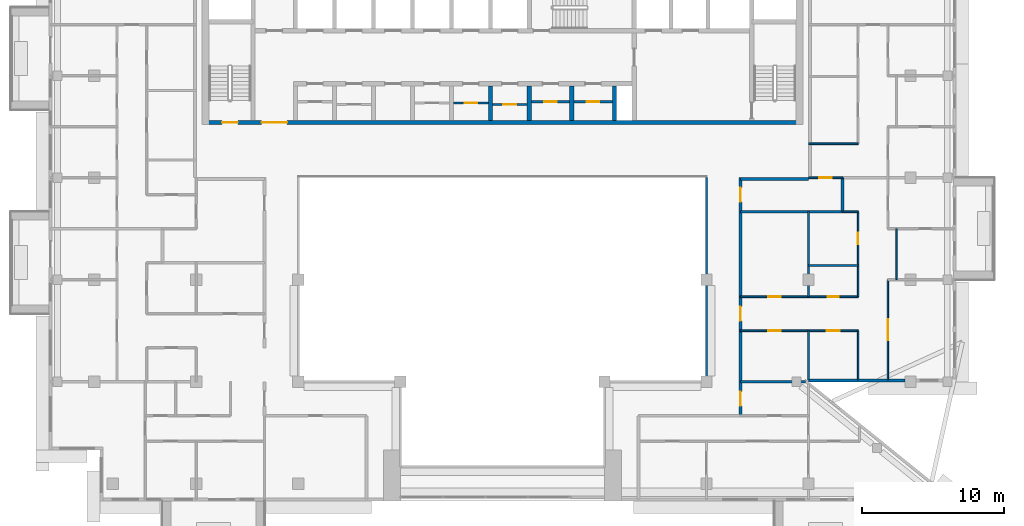
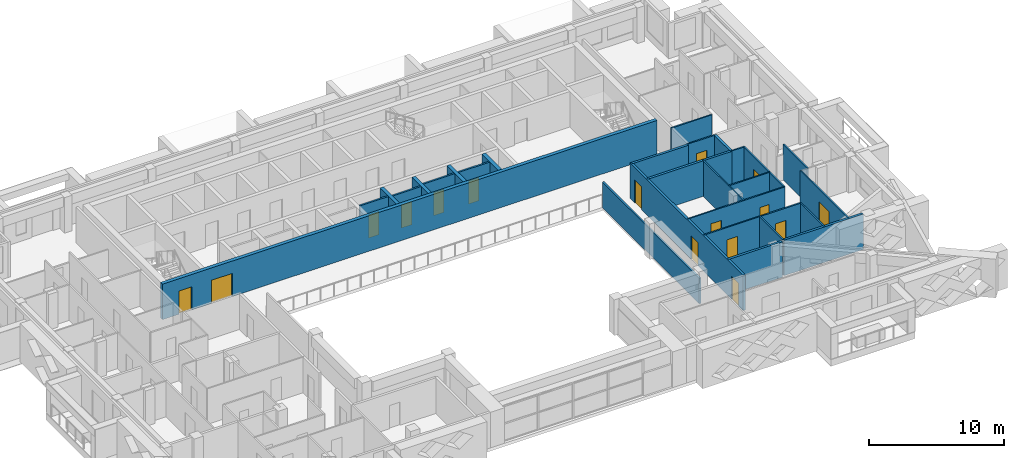
# One storey, part 9 of 19: 28 walls, 16 doors, 16 openings.
"""IFC4 building model written with IfcOpenShell, lengths in metres."""

from ifc_helpers import new_model, si_unit, direction, frame, frame_2d, origin, place, context, subcontext, project, spatial, rectangle, extrude, material, layer, layer_set, type_object, element, fill, save


model = new_model("IFC4")

# Units and contexts
model_context = context("Model", 3, precision=1e-05, world=origin(), true_north=direction((0.0, 1.0)))
body_context = subcontext(model_context, "Body", "Model", "MODEL_VIEW")
ifc_project = project(units=[si_unit("LENGTHUNIT", "METRE"), si_unit("AREAUNIT", "SQUARE_METRE"), si_unit("VOLUMEUNIT", "CUBIC_METRE"), si_unit("PLANEANGLEUNIT", "RADIAN"), si_unit("MASSUNIT", "GRAM", prefix="KILO")], contexts=[model_context])

# Site, building, storey
site_placement = place(None, origin())
site = spatial("IfcSite", under=ifc_project, at=site_placement, CompositionType="ELEMENT")
building_placement = place(site_placement, origin())
building = spatial("IfcBuilding", under=site, at=building_placement, Name="Saffron Iwan Residences", CompositionType="ELEMENT")
storey_placement = place(building_placement, frame((0.0, 0.0, 239.5)))
storey = spatial("IfcBuildingStorey", under=building, at=storey_placement, Name="L64", CompositionType="ELEMENT", Elevation=239.5)

# Wall
ifc_material_1 = material(Name="Fire-rated glazing", Category="glass")
ifc_layer_1 = layer(ifc_material_1, 0.14990234375)
ifc_layer_set_1 = layer_set([ifc_layer_1], Name="Fire-rated glazing")
wall_type_1 = type_object("IfcWallType", Name="Atrium glazed screen 150", PredefinedType="SOLIDWALL", material=ifc_layer_set_1)
wall_1_placement = place(storey_placement, frame((64.800048828125, 48.0, 0.0), z_axis=(0.0, 0.0, 1.0), x_axis=(0.0, 1.0, 0.0)))
element("IfcWall", 1, at=wall_1_placement, inside=storey, type_object=wall_type_1, Name="W-L64-SCREEN-v64.8-48", PredefinedType="SOLIDWALL", context=body_context, shape_type="SweptSolid", body=[
    extrude(rectangle(XDim=14.39990234375, YDim=0.14990234375, at=frame_2d((7.199951171875, 0.0))), origin(), (0.0, 0.0, 1.0), 2.320068359375),
])

# Wall, opening, door
ifc_material_2 = material(Name="Fire-rated plasterboard partition")
ifc_layer_2 = layer(ifc_material_2, 0.14990234375)
ifc_layer_set_2 = layer_set([ifc_layer_2], Name="Fire-rated plasterboard partition")
wall_type_2 = type_object("IfcWallType", Name="Core partition 150", PredefinedType="PARTITIONING", material=ifc_layer_set_2)
wall_2_placement = place(storey_placement, frame((46.949951171875, 67.66259765625, 0.0), z_axis=(0.0, 0.0, 1.0), x_axis=(1.0, 0.0, 0.0)))
wall_2 = element("IfcWall", 2, at=wall_2_placement, inside=storey, type_object=wall_type_2, Name="Core partition P04", PredefinedType="PARTITIONING", context=body_context, shape_type="SweptSolid", body=[
    extrude(rectangle(XDim=2.449951171875, YDim=0.14990234375, at=frame_2d((1.22509765625, 0.0))), origin(), (0.0, 0.0, 1.0), 3.219970703125),
])
opening_1_placement = place(wall_2_placement, frame((0.77490234375, 0.0, 0.0)))
opening_1 = element("IfcOpeningElement", 3, at=opening_1_placement, cuts=wall_2, Name="Opening SB", PredefinedType="OPENING", context=body_context, shape_type="SweptSolid", body=[
    extrude(rectangle(XDim=0.89990234375, YDim=2.10009765625, at=frame_2d((0.449951171875, 1.050048828125))), frame((0.0, 0.0849609375, 0.0), z_axis=(0.0, -1.0, 0.0), x_axis=(1.0, 0.0, 0.0)), (0.0, 0.0, 1.0), 0.169921875),
])
ifc_material_3 = material(Name="Steel fire door", Category="steel")
door_type_1 = type_object("IfcDoorType", Name="Store door 900", OperationType="NOTDEFINED", PredefinedType="DOOR", material=ifc_material_3)
door_1_placement = place(opening_1_placement, origin())
door_1 = element("IfcDoor", 4, at=door_1_placement, inside=storey, type_object=door_type_1, Name="Door Mop store", OperationType="SINGLE_SWING_RIGHT", OverallHeight=2.10009765625, OverallWidth=0.89990234375, PredefinedType="DOOR", context=body_context, shape_type="SweptSolid", body=[
    extrude(rectangle(XDim=0.89990234375, YDim=2.10009765625, at=frame_2d((0.449951171875, 1.050048828125))), frame((0.0, 0.02490234375, 0.0), z_axis=(0.0, -1.0, 0.0), x_axis=(1.0, 0.0, 0.0)), (0.0, 0.0, 1.0), 0.050048828125),
])
fill(opening_1, door_1)

wall_3_placement = place(storey_placement, frame((49.699951171875, 67.5654296875, 0.0), z_axis=(0.0, 0.0, 1.0), x_axis=(1.0, 0.0, 0.0)))
wall_3 = element("IfcWall", 5, at=wall_3_placement, inside=storey, type_object=wall_type_2, Name="Core partition P05", PredefinedType="PARTITIONING", context=body_context, shape_type="SweptSolid", body=[
    extrude(rectangle(XDim=2.449951171875, YDim=0.14990234375, at=frame_2d((1.22509765625, 0.0))), origin(), (0.0, 0.0, 1.0), 3.219970703125),
])
opening_2_placement = place(wall_3_placement, frame((0.77490234375, 0.0, 0.0)))
opening_2 = element("IfcOpeningElement", 6, at=opening_2_placement, cuts=wall_3, Name="Opening SB", PredefinedType="OPENING", context=body_context, shape_type="SweptSolid", body=[
    extrude(rectangle(XDim=0.89990234375, YDim=2.10009765625, at=frame_2d((0.449951171875, 1.050048828125))), frame((0.0, 0.0849609375, 0.0), z_axis=(0.0, -1.0, 0.0), x_axis=(1.0, 0.0, 0.0)), (0.0, 0.0, 1.0), 0.169921875),
])
door_2_placement = place(opening_2_placement, origin())
door_2 = element("IfcDoor", 7, at=door_2_placement, inside=storey, type_object=door_type_1, Name="Door Spares store", OperationType="SINGLE_SWING_LEFT", OverallHeight=2.10009765625, OverallWidth=0.89990234375, PredefinedType="DOOR", context=body_context, shape_type="SweptSolid", body=[
    extrude(rectangle(XDim=0.89990234375, YDim=2.10009765625, at=frame_2d((0.449951171875, 1.050048828125))), frame((0.0, 0.02490234375, 0.0), z_axis=(0.0, -1.0, 0.0), x_axis=(1.0, 0.0, 0.0)), (0.0, 0.0, 1.0), 0.050048828125),
])
fill(opening_2, door_2)

wall_4_placement = place(storey_placement, frame((52.449951171875, 67.759521484375, 0.0), z_axis=(0.0, 0.0, 1.0), x_axis=(1.0, 0.0, 0.0)))
wall_4 = element("IfcWall", 8, at=wall_4_placement, inside=storey, type_object=wall_type_2, Name="Core partition P06", PredefinedType="PARTITIONING", context=body_context, shape_type="SweptSolid", body=[
    extrude(rectangle(XDim=2.699951171875, YDim=0.14990234375, at=frame_2d((1.35009765625, 0.0))), origin(), (0.0, 0.0, 1.0), 3.219970703125),
])
opening_3_placement = place(wall_4_placement, frame((0.89990234375, 0.0, 0.0)))
opening_3 = element("IfcOpeningElement", 9, at=opening_3_placement, cuts=wall_4, Name="Opening SB", PredefinedType="OPENING", context=body_context, shape_type="SweptSolid", body=[
    extrude(rectangle(XDim=0.89990234375, YDim=2.10009765625, at=frame_2d((0.449951171875, 1.050048828125))), frame((0.0, 0.0849609375, 0.0), z_axis=(0.0, -1.0, 0.0), x_axis=(1.0, 0.0, 0.0)), (0.0, 0.0, 1.0), 0.169921875),
])
door_3_placement = place(opening_3_placement, origin())
door_3 = element("IfcDoor", 10, at=door_3_placement, inside=storey, type_object=door_type_1, Name="Door Tool store", OperationType="SINGLE_SWING_LEFT", OverallHeight=2.10009765625, OverallWidth=0.89990234375, PredefinedType="DOOR", context=body_context, shape_type="SweptSolid", body=[
    extrude(rectangle(XDim=0.89990234375, YDim=2.10009765625, at=frame_2d((0.449951171875, 1.050048828125))), frame((0.0, 0.02490234375, 0.0), z_axis=(0.0, -1.0, 0.0), x_axis=(1.0, 0.0, 0.0)), (0.0, 0.0, 1.0), 0.050048828125),
])
fill(opening_3, door_3)

wall_5_placement = place(storey_placement, frame((55.449951171875, 67.759521484375, 0.0), z_axis=(0.0, 0.0, 1.0), x_axis=(1.0, 0.0, 0.0)))
wall_5 = element("IfcWall", 11, at=wall_5_placement, inside=storey, type_object=wall_type_2, Name="Core partition P07", PredefinedType="PARTITIONING", context=body_context, shape_type="SweptSolid", body=[
    extrude(rectangle(XDim=2.699951171875, YDim=0.14990234375, at=frame_2d((1.35009765625, 0.0))), origin(), (0.0, 0.0, 1.0), 3.219970703125),
])
opening_4_placement = place(wall_5_placement, frame((0.89990234375, 0.0, 0.0)))
opening_4 = element("IfcOpeningElement", 12, at=opening_4_placement, cuts=wall_5, Name="Opening SB", PredefinedType="OPENING", context=body_context, shape_type="SweptSolid", body=[
    extrude(rectangle(XDim=0.89990234375, YDim=2.10009765625, at=frame_2d((0.449951171875, 1.050048828125))), frame((0.0, 0.0849609375, 0.0), z_axis=(0.0, -1.0, 0.0), x_axis=(1.0, 0.0, 0.0)), (0.0, 0.0, 1.0), 0.169921875),
])
door_4_placement = place(opening_4_placement, origin())
door_4 = element("IfcDoor", 13, at=door_4_placement, inside=storey, type_object=door_type_1, Name="Door Cabling room", OperationType="SINGLE_SWING_LEFT", OverallHeight=2.10009765625, OverallWidth=0.89990234375, PredefinedType="DOOR", context=body_context, shape_type="SweptSolid", body=[
    extrude(rectangle(XDim=0.89990234375, YDim=2.10009765625, at=frame_2d((0.449951171875, 1.050048828125))), frame((0.0, 0.02490234375, 0.0), z_axis=(0.0, -1.0, 0.0), x_axis=(1.0, 0.0, 0.0)), (0.0, 0.0, 1.0), 0.050048828125),
])
fill(opening_4, door_4)

# Walls
ifc_material_4 = material(Name="Concrete C40/50", Category="concrete")
ifc_layer_3 = layer(ifc_material_4, 0.199951171875)
ifc_layer_set_3 = layer_set([ifc_layer_3], Name="Concrete C40/50")
wall_type_3 = type_object("IfcWallType", Name="EXTERNAL WALL 200", PredefinedType="SOLIDWALL", material=ifc_layer_set_3)
wall_6_placement = place(storey_placement, frame((71.987060546875, 48.10009765625, 0.0), z_axis=(0.0, 0.0, 1.0), x_axis=(1.0, 0.0, 0.0)))
element("IfcWall", 14, at=wall_6_placement, inside=storey, type_object=wall_type_3, Name="External wall L64 F1.0", PredefinedType="SOLIDWALL", context=body_context, shape_type="SweptSolid", body=[
    extrude(rectangle(XDim=6.81298828125, YDim=0.199951171875, at=frame_2d((3.406494140625, 0.0))), origin(), (0.0, 0.0, 1.0), 3.219970703125),
])
ifc_material_5 = material(Name="Fire-rated gypsum board wall")
ifc_layer_4 = layer(ifc_material_5, 0.199951171875)
ifc_layer_set_4 = layer_set([ifc_layer_4], Name="Fire-rated gypsum board wall")
wall_type_4 = type_object("IfcWallType", Name="Flat demising wall 200", PredefinedType="SOLIDWALL", material=ifc_layer_set_4)
wall_7_placement = place(storey_placement, frame((67.199951171875, 48.0, 0.0), z_axis=(0.0, 0.0, 1.0), x_axis=(1.0, 0.0, 0.0)))
element("IfcWall", 15, at=wall_7_placement, inside=storey, type_object=wall_type_4, Name="W-L64-DEMISE-h48-67.2", PredefinedType="SOLIDWALL", context=body_context, shape_type="SweptSolid", body=[
    extrude(rectangle(XDim=4.60107421875, YDim=0.199951171875, at=frame_2d((2.300537109375, 0.0))), origin(), (0.0, 0.0, 1.0), 3.219970703125),
])
wall_8_placement = place(storey_placement, frame((67.199951171875, 60.0, 0.0), z_axis=(0.0, 0.0, 1.0), x_axis=(1.0, 0.0, 0.0)))
element("IfcWall", 16, at=wall_8_placement, inside=storey, type_object=wall_type_4, Name="W-L64-DEMISE-h60-67.2", PredefinedType="SOLIDWALL", context=body_context, shape_type="SweptSolid", body=[
    extrude(rectangle(XDim=7.199951171875, YDim=0.199951171875, at=frame_2d((3.60009765625, 0.0))), origin(), (0.0, 0.0, 1.0), 3.219970703125),
])
wall_9_placement = place(storey_placement, frame((74.39990234375, 60.0, 0.0), z_axis=(0.0, 0.0, 1.0), x_axis=(0.0, 1.0, 0.0)))
element("IfcWall", 17, at=wall_9_placement, inside=storey, type_object=wall_type_4, Name="W-L64-DEMISE-v74.4-60", PredefinedType="SOLIDWALL", context=body_context, shape_type="SweptSolid", body=[
    extrude(rectangle(XDim=2.39990234375, YDim=0.199951171875, at=frame_2d((1.199951171875, 0.0))), origin(), (0.0, 0.0, 1.0), 3.219970703125),
])

# Wall, openings, doors
ifc_material_6 = material(Name="Gypsum board partition")
ifc_layer_5 = layer(ifc_material_6, 0.1201171875)
ifc_layer_set_5 = layer_set([ifc_layer_5], Name="Gypsum board partition")
wall_type_5 = type_object("IfcWallType", Name="Flat partition 120", PredefinedType="PARTITIONING", material=ifc_layer_set_5)
wall_10_placement = place(storey_placement, frame((67.199951171875, 51.60009765625, 0.0), z_axis=(0.0, 0.0, 1.0), x_axis=(1.0, 0.0, 0.0)))
wall_10 = element("IfcWall", 18, at=wall_10_placement, inside=storey, type_object=wall_type_5, Name="W-L64-PART-h51.6-67.2", PredefinedType="PARTITIONING", context=body_context, shape_type="SweptSolid", body=[
    extrude(rectangle(XDim=8.300048828125, YDim=0.1201171875, at=frame_2d((4.14990234375, 0.0))), origin(), (0.0, 0.0, 1.0), 3.219970703125),
])
opening_5_placement = place(wall_10_placement, frame((6.10009765625, 0.0, 0.0)))
opening_5 = element("IfcOpeningElement", 19, at=opening_5_placement, cuts=wall_10, Name="Opening FD2", PredefinedType="OPENING", context=body_context, shape_type="SweptSolid", body=[
    extrude(rectangle(XDim=0.89990234375, YDim=2.10009765625, at=frame_2d((0.449951171875, 1.050048828125))), frame((0.0, 0.070068359375, 0.0), z_axis=(0.0, -1.0, 0.0), x_axis=(1.0, 0.0, 0.0)), (0.0, 0.0, 1.0), 0.14013671875),
])
opening_6_placement = place(wall_10_placement, frame((1.949951171875, 0.0, 0.0)))
opening_6 = element("IfcOpeningElement", 20, at=opening_6_placement, cuts=wall_10, Name="Opening FD2", PredefinedType="OPENING", context=body_context, shape_type="SweptSolid", body=[
    extrude(rectangle(XDim=0.89990234375, YDim=2.10009765625, at=frame_2d((0.449951171875, 1.050048828125))), frame((0.0, 0.070068359375, 0.0), z_axis=(0.0, -1.0, 0.0), x_axis=(1.0, 0.0, 0.0)), (0.0, 0.0, 1.0), 0.14013671875),
])
ifc_material_7 = material(Name="Timber door", Category="wood")
door_type_2 = type_object("IfcDoorType", Name="Flat door 900", OperationType="NOTDEFINED", PredefinedType="DOOR", material=ifc_material_7)
door_5_placement = place(opening_5_placement, origin())
door_5 = element("IfcDoor", 21, at=door_5_placement, inside=storey, type_object=door_type_2, Name="Door L64-018", OperationType="SINGLE_SWING_RIGHT", OverallHeight=2.10009765625, OverallWidth=0.89990234375, PredefinedType="DOOR", context=body_context, shape_type="SweptSolid", body=[
    extrude(rectangle(XDim=0.89990234375, YDim=2.10009765625, at=frame_2d((0.449951171875, 1.050048828125))), frame((0.0, 0.02490234375, 0.0), z_axis=(0.0, -1.0, 0.0), x_axis=(1.0, 0.0, 0.0)), (0.0, 0.0, 1.0), 0.050048828125),
])
fill(opening_5, door_5)
door_6_placement = place(opening_6_placement, origin())
door_6 = element("IfcDoor", 22, at=door_6_placement, inside=storey, type_object=door_type_2, Name="Door L64-021", OperationType="SINGLE_SWING_RIGHT", OverallHeight=2.10009765625, OverallWidth=0.89990234375, PredefinedType="DOOR", context=body_context, shape_type="SweptSolid", body=[
    extrude(rectangle(XDim=0.89990234375, YDim=2.10009765625, at=frame_2d((0.449951171875, 1.050048828125))), frame((0.0, 0.02490234375, 0.0), z_axis=(0.0, -1.0, 0.0), x_axis=(1.0, 0.0, 0.0)), (0.0, 0.0, 1.0), 0.050048828125),
])
fill(opening_6, door_6)

wall_11_placement = place(storey_placement, frame((67.199951171875, 54.0, 0.0), z_axis=(0.0, 0.0, 1.0), x_axis=(1.0, 0.0, 0.0)))
wall_11 = element("IfcWall", 23, at=wall_11_placement, inside=storey, type_object=wall_type_5, Name="W-L64-PART-h54-67.2", PredefinedType="PARTITIONING", context=body_context, shape_type="SweptSolid", body=[
    extrude(rectangle(XDim=8.300048828125, YDim=0.1201171875, at=frame_2d((4.14990234375, 0.0))), origin(), (0.0, 0.0, 1.0), 3.219970703125),
])
opening_7_placement = place(wall_11_placement, frame((6.14990234375, 0.0, 0.0)))
opening_7 = element("IfcOpeningElement", 24, at=opening_7_placement, cuts=wall_11, Name="Opening FD3", PredefinedType="OPENING", context=body_context, shape_type="SweptSolid", body=[
    extrude(rectangle(XDim=0.800048828125, YDim=2.10009765625, at=frame_2d((0.39990234375, 1.050048828125))), frame((0.0, 0.070068359375, 0.0), z_axis=(0.0, -1.0, 0.0), x_axis=(1.0, 0.0, 0.0)), (0.0, 0.0, 1.0), 0.14013671875),
])
opening_8_placement = place(wall_11_placement, frame((1.949951171875, 0.0, 0.0)))
opening_8 = element("IfcOpeningElement", 25, at=opening_8_placement, cuts=wall_11, Name="Opening FD2", PredefinedType="OPENING", context=body_context, shape_type="SweptSolid", body=[
    extrude(rectangle(XDim=0.89990234375, YDim=2.10009765625, at=frame_2d((0.449951171875, 1.050048828125))), frame((0.0, 0.070068359375, 0.0), z_axis=(0.0, -1.0, 0.0), x_axis=(1.0, 0.0, 0.0)), (0.0, 0.0, 1.0), 0.14013671875),
])
door_type_3 = type_object("IfcDoorType", Name="Bathroom door 800", OperationType="NOTDEFINED", PredefinedType="DOOR", material=ifc_material_7)
door_7_placement = place(opening_7_placement, origin())
door_7 = element("IfcDoor", 26, at=door_7_placement, inside=storey, type_object=door_type_3, Name="Door L64-019", OperationType="SINGLE_SWING_LEFT", OverallHeight=2.10009765625, OverallWidth=0.800048828125, PredefinedType="DOOR", context=body_context, shape_type="SweptSolid", body=[
    extrude(rectangle(XDim=0.800048828125, YDim=2.10009765625, at=frame_2d((0.39990234375, 1.050048828125))), frame((0.0, 0.02490234375, 0.0), z_axis=(0.0, -1.0, 0.0), x_axis=(1.0, 0.0, 0.0)), (0.0, 0.0, 1.0), 0.050048828125),
])
fill(opening_7, door_7)
door_8_placement = place(opening_8_placement, origin())
door_8 = element("IfcDoor", 27, at=door_8_placement, inside=storey, type_object=door_type_2, Name="Door L64-022", OperationType="SINGLE_SWING_LEFT", OverallHeight=2.10009765625, OverallWidth=0.89990234375, PredefinedType="DOOR", context=body_context, shape_type="SweptSolid", body=[
    extrude(rectangle(XDim=0.89990234375, YDim=2.10009765625, at=frame_2d((0.449951171875, 1.050048828125))), frame((0.0, 0.02490234375, 0.0), z_axis=(0.0, -1.0, 0.0), x_axis=(1.0, 0.0, 0.0)), (0.0, 0.0, 1.0), 0.050048828125),
])
fill(opening_8, door_8)

# Walls
wall_12_placement = place(storey_placement, frame((72.0, 56.199951171875, 0.0), z_axis=(0.0, 0.0, 1.0), x_axis=(1.0, 0.0, 0.0)))
element("IfcWall", 28, at=wall_12_placement, inside=storey, type_object=wall_type_5, Name="W-L64-PART-h56.2-72", PredefinedType="PARTITIONING", context=body_context, shape_type="SweptSolid", body=[
    extrude(rectangle(XDim=3.5, YDim=0.1201171875, at=frame_2d((1.75, 0.0))), origin(), (0.0, 0.0, 1.0), 3.219970703125),
])
wall_13_placement = place(storey_placement, frame((74.39990234375, 60.0, 0.0), z_axis=(0.0, 0.0, 1.0), x_axis=(1.0, 0.0, 0.0)))
element("IfcWall", 29, at=wall_13_placement, inside=storey, type_object=wall_type_5, Name="W-L64-PART-h60-74.4", PredefinedType="PARTITIONING", context=body_context, shape_type="SweptSolid", body=[
    extrude(rectangle(XDim=1.10009765625, YDim=0.1201171875, at=frame_2d((0.550048828125, 0.0))), origin(), (0.0, 0.0, 1.0), 3.219970703125),
])

# Wall, opening, door
wall_14_placement = place(storey_placement, frame((72.0, 62.39990234375, 0.0), z_axis=(0.0, 0.0, 1.0), x_axis=(1.0, 0.0, 0.0)))
wall_14 = element("IfcWall", 30, at=wall_14_placement, inside=storey, type_object=wall_type_5, Name="W-L64-PART-h62.4-72", PredefinedType="PARTITIONING", context=body_context, shape_type="SweptSolid", body=[
    extrude(rectangle(XDim=2.39990234375, YDim=0.1201171875, at=frame_2d((1.199951171875, 0.0))), origin(), (0.0, 0.0, 1.0), 3.219970703125),
])
opening_9_placement = place(wall_14_placement, frame((0.75, 0.0, 0.0)))
opening_9 = element("IfcOpeningElement", 31, at=opening_9_placement, cuts=wall_14, Name="Opening FD2", PredefinedType="OPENING", context=body_context, shape_type="SweptSolid", body=[
    extrude(rectangle(XDim=0.89990234375, YDim=2.10009765625, at=frame_2d((0.449951171875, 1.050048828125))), frame((0.0, 0.070068359375, 0.0), z_axis=(0.0, -1.0, 0.0), x_axis=(1.0, 0.0, 0.0)), (0.0, 0.0, 1.0), 0.14013671875),
])
door_9_placement = place(opening_9_placement, origin())
door_9 = element("IfcDoor", 32, at=door_9_placement, inside=storey, type_object=door_type_2, Name="Door L64-033", OperationType="SINGLE_SWING_RIGHT", OverallHeight=2.10009765625, OverallWidth=0.89990234375, PredefinedType="DOOR", context=body_context, shape_type="SweptSolid", body=[
    extrude(rectangle(XDim=0.89990234375, YDim=2.10009765625, at=frame_2d((0.449951171875, 1.050048828125))), frame((0.0, 0.02490234375, 0.0), z_axis=(0.0, -1.0, 0.0), x_axis=(1.0, 0.0, 0.0)), (0.0, 0.0, 1.0), 0.050048828125),
])
fill(opening_9, door_9)

# Walls
wall_15_placement = place(storey_placement, frame((72.0, 64.800048828125, 0.0), z_axis=(0.0, 0.0, 1.0), x_axis=(1.0, 0.0, 0.0)))
element("IfcWall", 33, at=wall_15_placement, inside=storey, type_object=wall_type_5, Name="W-L64-PART-h64.8-72", PredefinedType="PARTITIONING", context=body_context, shape_type="SweptSolid", body=[
    extrude(rectangle(XDim=3.5, YDim=0.1201171875, at=frame_2d((1.75, 0.0))), origin(), (0.0, 0.0, 1.0), 3.219970703125),
])
wall_16_placement = place(storey_placement, frame((72.0, 48.125, 0.0), z_axis=(0.0, 0.0, 1.0), x_axis=(0.0, 1.0, 0.0)))
element("IfcWall", 34, at=wall_16_placement, inside=storey, type_object=wall_type_5, Name="W-L64-PART-v72-48.125", PredefinedType="PARTITIONING", context=body_context, shape_type="SweptSolid", body=[
    extrude(rectangle(XDim=3.47509765625, YDim=0.1201171875, at=frame_2d((1.737548828125, 0.0))), origin(), (0.0, 0.0, 1.0), 3.219970703125),
])
wall_17_placement = place(storey_placement, frame((72.0, 54.0, 0.0), z_axis=(0.0, 0.0, 1.0), x_axis=(0.0, 1.0, 0.0)))
element("IfcWall", 35, at=wall_17_placement, inside=storey, type_object=wall_type_5, Name="W-L64-PART-v72-54", PredefinedType="PARTITIONING", context=body_context, shape_type="SweptSolid", body=[
    extrude(rectangle(XDim=6.0, YDim=0.1201171875, at=frame_2d((3.0, 0.0))), origin(), (0.0, 0.0, 1.0), 3.219970703125),
])
wall_18_placement = place(storey_placement, frame((75.5, 48.125, 0.0), z_axis=(0.0, 0.0, 1.0), x_axis=(0.0, 1.0, 0.0)))
element("IfcWall", 36, at=wall_18_placement, inside=storey, type_object=wall_type_5, Name="W-L64-PART-v75.5-48.125", PredefinedType="PARTITIONING", context=body_context, shape_type="SweptSolid", body=[
    extrude(rectangle(XDim=3.47509765625, YDim=0.1201171875, at=frame_2d((1.737548828125, 0.0))), origin(), (0.0, 0.0, 1.0), 3.219970703125),
])

# Wall, opening, door
wall_19_placement = place(storey_placement, frame((75.5, 54.0, 0.0), z_axis=(0.0, 0.0, 1.0), x_axis=(0.0, 1.0, 0.0)))
wall_19 = element("IfcWall", 37, at=wall_19_placement, inside=storey, type_object=wall_type_5, Name="W-L64-PART-v75.5-54", PredefinedType="PARTITIONING", context=body_context, shape_type="SweptSolid", body=[
    extrude(rectangle(XDim=6.0, YDim=0.1201171875, at=frame_2d((3.0, 0.0))), origin(), (0.0, 0.0, 1.0), 3.219970703125),
])
opening_10_placement = place(wall_19_placement, frame((3.699951171875, 0.0, 0.0)))
opening_10 = element("IfcOpeningElement", 38, at=opening_10_placement, cuts=wall_19, Name="Opening FD3", PredefinedType="OPENING", context=body_context, shape_type="SweptSolid", body=[
    extrude(rectangle(XDim=0.800048828125, YDim=2.10009765625, at=frame_2d((0.39990234375, 1.050048828125))), frame((0.0, 0.070068359375, 0.0), z_axis=(0.0, -1.0, 0.0), x_axis=(1.0, 0.0, 0.0)), (0.0, 0.0, 1.0), 0.14013671875),
])
door_10_placement = place(opening_10_placement, origin())
door_10 = element("IfcDoor", 39, at=door_10_placement, inside=storey, type_object=door_type_3, Name="Door L64-020", OperationType="SINGLE_SWING_LEFT", OverallHeight=2.10009765625, OverallWidth=0.800048828125, PredefinedType="DOOR", context=body_context, shape_type="SweptSolid", body=[
    extrude(rectangle(XDim=0.800048828125, YDim=2.10009765625, at=frame_2d((0.39990234375, 1.050048828125))), frame((0.0, 0.02490234375, 0.0), z_axis=(0.0, -1.0, 0.0), x_axis=(1.0, 0.0, 0.0)), (0.0, 0.0, 1.0), 0.050048828125),
])
fill(opening_10, door_10)

wall_20_placement = place(storey_placement, frame((77.60009765625, 48.125, 0.0), z_axis=(0.0, 0.0, 1.0), x_axis=(0.0, 1.0, 0.0)))
wall_20 = element("IfcWall", 40, at=wall_20_placement, inside=storey, type_object=wall_type_5, Name="W-L64-PART-v77.6-48.125", PredefinedType="PARTITIONING", context=body_context, shape_type="SweptSolid", body=[
    extrude(rectangle(XDim=7.074951171875, YDim=0.1201171875, at=frame_2d((3.53759765625, 0.0))), origin(), (0.0, 0.0, 1.0), 3.219970703125),
])
opening_11_placement = place(wall_20_placement, frame((2.78759765625, 0.0, 0.0)))
opening_11 = element("IfcOpeningElement", 41, at=opening_11_placement, cuts=wall_20, Name="Opening FD4", PredefinedType="OPENING", context=body_context, shape_type="SweptSolid", body=[
    extrude(rectangle(XDim=1.5, YDim=2.10009765625, at=frame_2d((0.75, 1.050048828125))), frame((0.0, 0.070068359375, 0.0), z_axis=(0.0, -1.0, 0.0), x_axis=(1.0, 0.0, 0.0)), (0.0, 0.0, 1.0), 0.14013671875),
])
door_type_4 = type_object("IfcDoorType", Name="Double door 1500", OperationType="NOTDEFINED", PredefinedType="DOOR", material=ifc_material_7)
door_11_placement = place(opening_11_placement, origin())
door_11 = element("IfcDoor", 42, at=door_11_placement, inside=storey, type_object=door_type_4, Name="Door L64-015", OperationType="SINGLE_SWING_RIGHT", OverallHeight=2.10009765625, OverallWidth=1.5, PredefinedType="DOOR", context=body_context, shape_type="SweptSolid", body=[
    extrude(rectangle(XDim=1.5, YDim=2.10009765625, at=frame_2d((0.75, 1.050048828125))), frame((0.0, 0.02490234375, 0.0), z_axis=(0.0, -1.0, 0.0), x_axis=(1.0, 0.0, 0.0)), (0.0, 0.0, 1.0), 0.050048828125),
])
fill(opening_11, door_11)

# Walls
wall_21_placement = place(storey_placement, frame((78.199951171875, 55.199951171875, 0.0), z_axis=(0.0, 0.0, 1.0), x_axis=(0.0, 1.0, 0.0)))
element("IfcWall", 43, at=wall_21_placement, inside=storey, type_object=wall_type_5, Name="W-L64-PART-v78.2-55.2", PredefinedType="PARTITIONING", context=body_context, shape_type="SweptSolid", body=[
    extrude(rectangle(XDim=3.60009765625, YDim=0.1201171875, at=frame_2d((1.800048828125, 0.0))), origin(), (0.0, 0.0, 1.0), 3.219970703125),
])
ifc_layer_6 = layer(ifc_material_5, 0.199951171875)
ifc_layer_set_6 = layer_set([ifc_layer_6], Name="Fire-rated gypsum board wall")
wall_type_6 = type_object("IfcWallType", Name="Gallery wall 200", PredefinedType="SOLIDWALL", material=ifc_layer_set_6)
wall_22_placement = place(storey_placement, frame((67.199951171875, 62.300048828125, 0.0), z_axis=(0.0, 0.0, 1.0), x_axis=(1.0, 0.0, 0.0)))
element("IfcWall", 44, at=wall_22_placement, inside=storey, type_object=wall_type_6, Name="W-L64-CORR-h62.4-67.2", PredefinedType="SOLIDWALL", context=body_context, shape_type="SweptSolid", body=[
    extrude(rectangle(XDim=4.800048828125, YDim=0.199951171875, at=frame_2d((2.39990234375, 0.0))), origin(), (0.0, 0.0, 1.0), 3.219970703125),
])

# Wall, openings, doors
wall_23_placement = place(storey_placement, frame((67.199951171875, 45.60009765625, 0.0), z_axis=(0.0, 0.0, 1.0), x_axis=(0.0, 1.0, 0.0)))
wall_23 = element("IfcWall", 45, at=wall_23_placement, inside=storey, type_object=wall_type_6, Name="W-L64-CORR-v67.2-45.6", PredefinedType="SOLIDWALL", context=body_context, shape_type="SweptSolid", body=[
    extrude(rectangle(XDim=16.7998046875, YDim=0.199951171875, at=frame_2d((8.39990234375, 0.0))), origin(), (0.0, 0.0, 1.0), 3.219970703125),
])
opening_12_placement = place(wall_23_placement, frame((6.699951171875, 0.0, 0.0)))
opening_12 = element("IfcOpeningElement", 46, at=opening_12_placement, cuts=wall_23, Name="Opening FD1", PredefinedType="OPENING", context=body_context, shape_type="SweptSolid", body=[
    extrude(rectangle(XDim=1.0, YDim=2.10009765625, at=frame_2d((0.5, 1.050048828125))), frame((0.0, 0.10986328125, 0.0), z_axis=(0.0, -1.0, 0.0), x_axis=(1.0, 0.0, 0.0)), (0.0, 0.0, 1.0), 0.219970703125),
])
opening_13_placement = place(wall_23_placement, frame((15.10009765625, 0.0, 0.0)))
opening_13 = element("IfcOpeningElement", 47, at=opening_13_placement, cuts=wall_23, Name="Opening FD5", PredefinedType="OPENING", context=body_context, shape_type="SweptSolid", body=[
    extrude(rectangle(XDim=1.0, YDim=2.10009765625, at=frame_2d((0.5, 1.050048828125))), frame((0.0, 0.10986328125, 0.0), z_axis=(0.0, -1.0, 0.0), x_axis=(1.0, 0.0, 0.0)), (0.0, 0.0, 1.0), 0.219970703125),
])
opening_14_placement = place(wall_23_placement, frame((0.699951171875, 0.0, 0.0)))
opening_14 = element("IfcOpeningElement", 48, at=opening_14_placement, cuts=wall_23, Name="Opening FD5", PredefinedType="OPENING", context=body_context, shape_type="SweptSolid", body=[
    extrude(rectangle(XDim=1.0, YDim=2.10009765625, at=frame_2d((0.5, 1.050048828125))), frame((0.0, 0.10986328125, 0.0), z_axis=(0.0, -1.0, 0.0), x_axis=(1.0, 0.0, 0.0)), (0.0, 0.0, 1.0), 0.219970703125),
])
ifc_material_8 = material(Name="Fire-rated timber door", Category="wood")
door_type_5 = type_object("IfcDoorType", Name="FD30S flat entrance door 1000", OperationType="NOTDEFINED", PredefinedType="DOOR", material=ifc_material_8)
door_12_placement = place(opening_12_placement, origin())
door_12 = element("IfcDoor", 49, at=door_12_placement, inside=storey, type_object=door_type_5, Name="Door L64-014", OperationType="SINGLE_SWING_LEFT", OverallHeight=2.10009765625, OverallWidth=1.0, PredefinedType="DOOR", context=body_context, shape_type="SweptSolid", body=[
    extrude(rectangle(XDim=1.0, YDim=2.10009765625, at=frame_2d((0.5, 1.050048828125))), frame((0.0, 0.02490234375, 0.0), z_axis=(0.0, -1.0, 0.0), x_axis=(1.0, 0.0, 0.0)), (0.0, 0.0, 1.0), 0.050048828125),
])
fill(opening_12, door_12)
door_type_6 = type_object("IfcDoorType", Name="Lobby door 1000", OperationType="NOTDEFINED", PredefinedType="DOOR", material=ifc_material_8)
door_13_placement = place(opening_13_placement, origin())
door_13 = element("IfcDoor", 50, at=door_13_placement, inside=storey, type_object=door_type_6, Name="Door L64-034", OperationType="SINGLE_SWING_LEFT", OverallHeight=2.10009765625, OverallWidth=1.0, PredefinedType="DOOR", context=body_context, shape_type="SweptSolid", body=[
    extrude(rectangle(XDim=1.0, YDim=2.10009765625, at=frame_2d((0.5, 1.050048828125))), frame((0.0, 0.02490234375, 0.0), z_axis=(0.0, -1.0, 0.0), x_axis=(1.0, 0.0, 0.0)), (0.0, 0.0, 1.0), 0.050048828125),
])
fill(opening_13, door_13)
door_14_placement = place(opening_14_placement, origin())
door_14 = element("IfcDoor", 51, at=door_14_placement, inside=storey, type_object=door_type_6, Name="Door L64-043", OperationType="SINGLE_SWING_LEFT", OverallHeight=2.10009765625, OverallWidth=1.0, PredefinedType="DOOR", context=body_context, shape_type="SweptSolid", body=[
    extrude(rectangle(XDim=1.0, YDim=2.10009765625, at=frame_2d((0.5, 1.050048828125))), frame((0.0, 0.02490234375, 0.0), z_axis=(0.0, -1.0, 0.0), x_axis=(1.0, 0.0, 0.0)), (0.0, 0.0, 1.0), 0.050048828125),
])
fill(opening_14, door_14)

ifc_layer_7 = layer(ifc_material_4, 0.300048828125)
ifc_layer_set_7 = layer_set([ifc_layer_7], Name="Concrete C40/50")
wall_type_7 = type_object("IfcWallType", Name="WALL CORE 300 C40/50 3220 HIGH", PredefinedType="SHEAR", material=ifc_layer_set_7)
wall_24_placement = place(storey_placement, frame((29.199951171875, 66.300048828125, 0.0), z_axis=(0.0, 0.0, 1.0), x_axis=(1.0, 0.0, 0.0)))
wall_24 = element("IfcWall", 52, at=wall_24_placement, inside=storey, type_object=wall_type_7, Name="Core wall", PredefinedType="SHEAR", context=body_context, shape_type="SweptSolid", body=[
    extrude(rectangle(XDim=42.400146484375, YDim=0.300048828125, at=frame_2d((21.2001953125, 0.0))), origin(), (0.0, 0.0, 1.0), 3.219970703125),
])
opening_15_placement = place(wall_24_placement, frame((1.425048828125, 0.0, 0.0)))
opening_15 = element("IfcOpeningElement", 53, at=opening_15_placement, cuts=wall_24, Name="Opening SD", PredefinedType="OPENING", context=body_context, shape_type="SweptSolid", body=[
    extrude(rectangle(XDim=1.10009765625, YDim=2.10009765625, at=frame_2d((0.550048828125, 1.050048828125))), frame((0.0, 0.16015625, 0.0), z_axis=(0.0, -1.0, 0.0), x_axis=(1.0, 0.0, 0.0)), (0.0, 0.0, 1.0), 0.320068359375),
])
opening_16_placement = place(wall_24_placement, frame((4.199951171875, 0.0, 0.0)))
opening_16 = element("IfcOpeningElement", 54, at=opening_16_placement, cuts=wall_24, Name="Opening DD", PredefinedType="OPENING", context=body_context, shape_type="SweptSolid", body=[
    extrude(rectangle(XDim=1.800048828125, YDim=2.10009765625, at=frame_2d((0.89990234375, 1.050048828125))), frame((0.0, 0.16015625, 0.0), z_axis=(0.0, -1.0, 0.0), x_axis=(1.0, 0.0, 0.0)), (0.0, 0.0, 1.0), 0.320068359375),
])
door_type_7 = type_object("IfcDoorType", Name="Lobby double door 1800", OperationType="DOUBLE_DOOR_SINGLE_SWING", PredefinedType="DOOR", material=ifc_material_3)
door_15_placement = place(opening_16_placement, origin())
door_15 = element("IfcDoor", 55, at=door_15_placement, inside=storey, type_object=door_type_7, Name="Lobby doors", OperationType="DOUBLE_DOOR_SINGLE_SWING", OverallHeight=2.10009765625, OverallWidth=1.800048828125, PredefinedType="DOOR", context=body_context, shape_type="SweptSolid", body=[
    extrude(rectangle(XDim=1.800048828125, YDim=2.10009765625, at=frame_2d((0.89990234375, 1.050048828125))), frame((0.0, 0.02490234375, 0.0), z_axis=(0.0, -1.0, 0.0), x_axis=(1.0, 0.0, 0.0)), (0.0, 0.0, 1.0), 0.050048828125),
])
fill(opening_16, door_15)
door_type_8 = type_object("IfcDoorType", Name="Stair door 1100", OperationType="NOTDEFINED", PredefinedType="DOOR", material=ifc_material_3)
door_16_placement = place(opening_15_placement, origin())
door_16 = element("IfcDoor", 56, at=door_16_placement, inside=storey, type_object=door_type_8, Name="Stair door ST-W", OperationType="SINGLE_SWING_LEFT", OverallHeight=2.10009765625, OverallWidth=1.10009765625, PredefinedType="DOOR", context=body_context, shape_type="SweptSolid", body=[
    extrude(rectangle(XDim=1.10009765625, YDim=2.10009765625, at=frame_2d((0.550048828125, 1.050048828125))), frame((0.0, 0.02490234375, 0.0), z_axis=(0.0, -1.0, 0.0), x_axis=(1.0, 0.0, 0.0)), (0.0, 0.0, 1.0), 0.050048828125),
])
fill(opening_15, door_16)

# Walls
for number, where, z_axis, x_axis, name in (
    (57, (49.550048828125, 66.449951171875, 0.0), (0.0, 0.0, 1.0), (0.0, 1.0, 0.0), "Core wall"),
    (58, (52.300048828125, 66.449951171875, 0.0), (0.0, 0.0, 1.0), (0.0, 1.0, 0.0), "Core wall"),
    (59, (55.300048828125, 66.449951171875, 0.0), (0.0, 0.0, 1.0), (0.0, 1.0, 0.0), "Core wall"),
    (60, (58.300048828125, 66.449951171875, 0.0), (0.0, 0.0, 1.0), (0.0, 1.0, 0.0), "Core wall"),
):
    element("IfcWall", number, at=place(storey_placement, frame(where, z_axis=z_axis, x_axis=x_axis)), inside=storey, type_object=wall_type_7, Name=name, PredefinedType="SHEAR", context=body_context, shape_type="SweptSolid", body=[
        extrude(rectangle(XDim=2.425048828125, YDim=0.300048828125, at=frame_2d((1.21240234375, 0.0))), origin(), (0.0, 0.0, 1.0), 3.219970703125),
    ])

save(model, "model.ifc")
